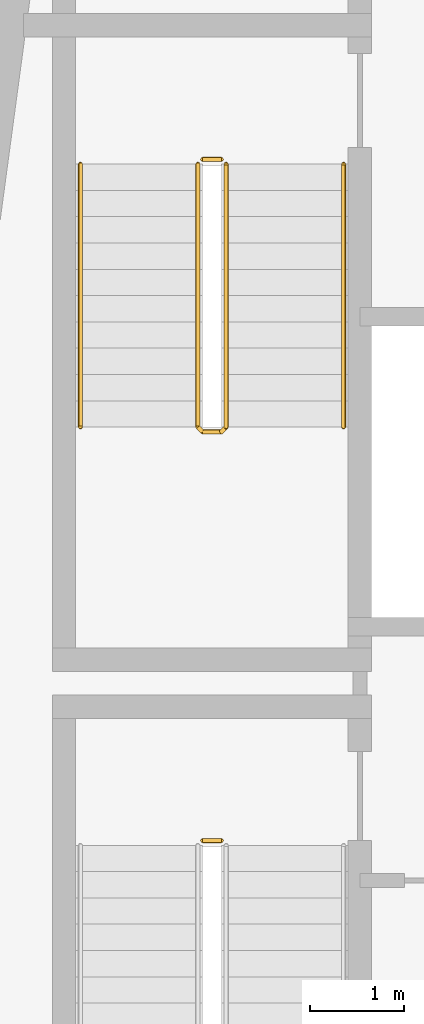
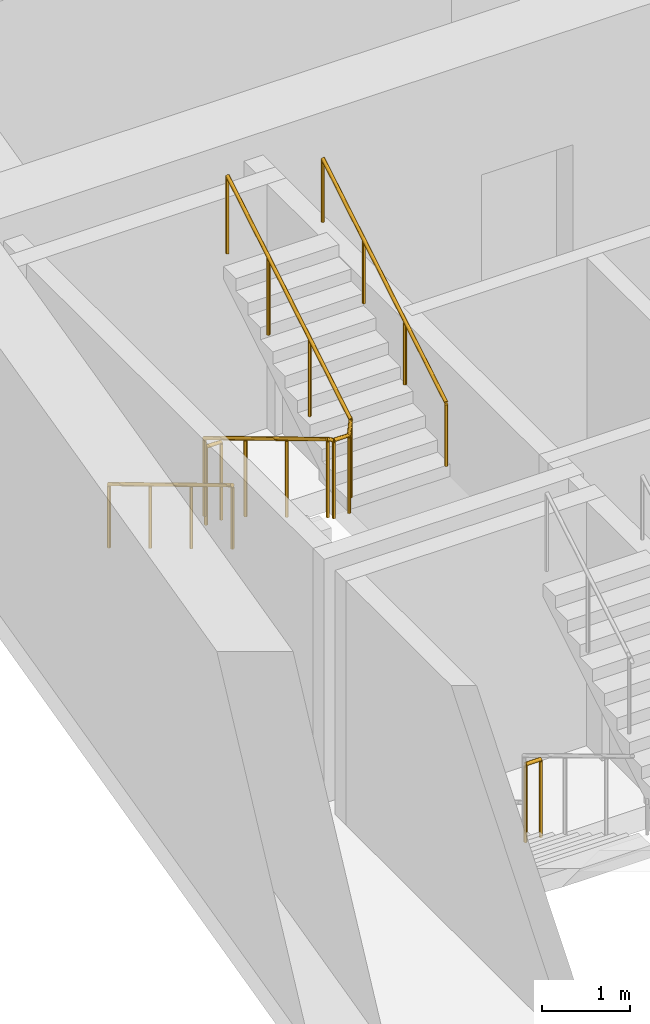
# One storey, part 10 of 13: 5 railings.
"""IFC4 building model written with IfcOpenShell, lengths in metres."""

from ifc_helpers import new_model, si_unit, direction, frame, origin, origin_2d, place, context, subcontext, project, spatial, circle, extrude, material, type_object, element, save


model = new_model("IFC4")

# Units and contexts
model_context = context("Model", 3, precision=1e-05, world=origin(), true_north=direction((0.0, 1.0)))
body_context = subcontext(model_context, "Body", "Model", "MODEL_VIEW")
ifc_project = project(units=[si_unit("LENGTHUNIT", "METRE"), si_unit("AREAUNIT", "SQUARE_METRE"), si_unit("VOLUMEUNIT", "CUBIC_METRE"), si_unit("PLANEANGLEUNIT", "RADIAN"), si_unit("MASSUNIT", "GRAM", prefix="KILO")], contexts=[model_context])

# Site, building, storey
site_placement = place(None, origin())
site = spatial("IfcSite", under=ifc_project, at=site_placement, CompositionType="ELEMENT")
building_placement = place(site_placement, origin())
building = spatial("IfcBuilding", under=site, at=building_placement, Name="Candeia Pilgrim Tower and Theatre", CompositionType="ELEMENT")
storey_placement = place(building_placement, frame((0.0, 0.0, 220.699951171875)))
storey = spatial("IfcBuildingStorey", under=building, at=storey_placement, Name="L53", CompositionType="ELEMENT", Elevation=220.699951171875)

# Railings
ifc_material_1 = material(Name="Stainless steel balustrade", Category="steel")
railing_type_1 = type_object("IfcRailingType", Name="RL-GUARD-1100", PredefinedType="GUARDRAIL", material=ifc_material_1)
railing_1_placement = place(storey_placement, frame((91.152099609375, 122.52490234375, 0.0)))
element("IfcRailing", 1, at=railing_1_placement, inside=storey, type_object=railing_type_1, Name="L53 ST1 stair guard 2", PredefinedType="GUARDRAIL", context=body_context, shape_type="SweptSolid", body=[
    extrude(circle(Radius=0.02392578125, at=origin_2d()), frame((0.0, 0.0, 1.076171875), z_axis=(1.0, 0.0, 0.0), x_axis=(0.0, 1.0, 0.0)), (0.0, 0.0, 1.0), 0.199951171875),
    extrude(circle(Radius=0.02099609375, at=origin_2d()), origin(), (0.0, 0.0, 1.0), 1.052001953125),
    extrude(circle(Radius=0.02099609375, at=origin_2d()), frame((0.199951171875, 0.0, 0.0)), (0.0, 0.0, 1.0), 1.052001953125),
])
railing_2_placement = place(storey_placement, frame((91.10205078125, 129.72509765625, 0.168212890625)))
element("IfcRailing", 2, at=railing_2_placement, inside=storey, type_object=railing_type_1, Name="L53 ST2 stair guard 1", PredefinedType="GUARDRAIL", context=body_context, shape_type="SweptSolid", body=[
    extrude(circle(Radius=0.02392578125, at=origin_2d()), frame((0.0, 0.0, 1.076171875), z_axis=(0.0, -0.857242210791, 0.514913383045), x_axis=(1.0, 0.0, 0.0)), (0.0, 0.0, 1.0), 3.266357421875),
    extrude(circle(Radius=0.02392578125, at=origin_2d()), frame((0.0, -2.800048828125, 2.7578125), z_axis=(0.707106781187, -0.707106781187, 0.0), x_axis=(0.707106781187, 0.707106781187, 0.0)), (0.0, 0.0, 1.0), 0.07080078125),
    extrude(circle(Radius=0.02392578125, at=origin_2d()), frame((0.050048828125, -2.85009765625, 2.7578125), z_axis=(1.0, 0.0, 0.0), x_axis=(0.0, 1.0, 0.0)), (0.0, 0.0, 1.0), 0.199951171875),
    extrude(circle(Radius=0.02392578125, at=origin_2d()), frame((0.25, -2.85009765625, 2.7578125), z_axis=(0.274243871929, 0.274243871929, 0.92172696468), x_axis=(-0.707106781187, 0.707106781187, 0.0)), (0.0, 0.0, 1.0), 0.1826171875),
    extrude(circle(Radius=0.02392578125, at=origin_2d()), frame((0.300048828125, -2.800048828125, 2.92626953125), z_axis=(0.0, 0.857275202839, 0.514858452973), x_axis=(-1.0, 0.0, 0.0)), (0.0, 0.0, 1.0), 3.26611328125),
    extrude(circle(Radius=0.02099609375, at=origin_2d()), origin(), (0.0, 0.0, 1.0), 1.052001953125),
    extrude(circle(Radius=0.02099609375, at=origin_2d()), frame((0.0, -0.933349609375, 0.560546875)), (0.0, 0.0, 1.0), 1.052001953125),
    extrude(circle(Radius=0.02099609375, at=origin_2d()), frame((0.0, -1.86669921875, 1.121337890625)), (0.0, 0.0, 1.0), 1.052001953125),
    extrude(circle(Radius=0.02099609375, at=origin_2d()), frame((0.0, -2.800048828125, 1.681884765625)), (0.0, 0.0, 1.0), 1.052001953125),
    extrude(circle(Radius=0.02099609375, at=origin_2d()), frame((0.050048828125, -2.85009765625, 1.681884765625)), (0.0, 0.0, 1.0), 1.052001953125),
    extrude(circle(Radius=0.02099609375, at=origin_2d()), frame((0.25, -2.85009765625, 1.681884765625)), (0.0, 0.0, 1.0), 1.052001953125),
    extrude(circle(Radius=0.02099609375, at=origin_2d()), frame((0.300048828125, -2.800048828125, 1.85009765625)), (0.0, 0.0, 1.0), 1.052001953125),
    extrude(circle(Radius=0.02099609375, at=origin_2d()), frame((0.300048828125, -1.86669921875, 2.41064453125)), (0.0, 0.0, 1.0), 1.052001953125),
    extrude(circle(Radius=0.02099609375, at=origin_2d()), frame((0.300048828125, -0.933349609375, 2.97119140625)), (0.0, 0.0, 1.0), 1.052001953125),
    extrude(circle(Radius=0.02099609375, at=origin_2d()), frame((0.300048828125, 0.0, 3.53173828125)), (0.0, 0.0, 1.0), 1.052001953125),
])
railing_3_placement = place(storey_placement, frame((91.152099609375, 129.77490234375, 0.0)))
element("IfcRailing", 3, at=railing_3_placement, inside=storey, type_object=railing_type_1, Name="L53 ST2 stair guard 2", PredefinedType="GUARDRAIL", context=body_context, shape_type="SweptSolid", body=[
    extrude(circle(Radius=0.02392578125, at=origin_2d()), frame((0.0, 0.0, 1.076171875), z_axis=(1.0, 0.0, 0.0), x_axis=(0.0, 1.0, 0.0)), (0.0, 0.0, 1.0), 0.199951171875),
    extrude(circle(Radius=0.02099609375, at=origin_2d()), origin(), (0.0, 0.0, 1.0), 1.052001953125),
    extrude(circle(Radius=0.02099609375, at=origin_2d()), frame((0.199951171875, 0.0, 0.0)), (0.0, 0.0, 1.0), 1.052001953125),
])
ifc_material_2 = material(Name="Stainless steel handrail", Category="steel")
railing_type_2 = type_object("IfcRailingType", Name="RL-HANDRAIL-900", PredefinedType="HANDRAIL", material=ifc_material_2)
railing_4_placement = place(storey_placement, frame((89.85205078125, 129.72509765625, 0.168212890625)))
element("IfcRailing", 4, at=railing_4_placement, inside=storey, type_object=railing_type_2, Name="L53 ST2 stair handrail 1", PredefinedType="HANDRAIL", context=body_context, shape_type="SweptSolid", body=[
    extrude(circle(Radius=0.02392578125, at=origin_2d()), frame((0.0, 0.0, 0.8759765625), z_axis=(0.0, -0.857242210791, 0.514913383045), x_axis=(1.0, 0.0, 0.0)), (0.0, 0.0, 1.0), 3.266357421875),
    extrude(circle(Radius=0.02099609375, at=origin_2d()), origin(), (0.0, 0.0, 1.0), 0.851806640625),
    extrude(circle(Radius=0.02099609375, at=origin_2d()), frame((0.0, -0.933349609375, 0.560546875)), (0.0, 0.0, 1.0), 0.851806640625),
    extrude(circle(Radius=0.02099609375, at=origin_2d()), frame((0.0, -1.86669921875, 1.121337890625)), (0.0, 0.0, 1.0), 0.851806640625),
    extrude(circle(Radius=0.02099609375, at=origin_2d()), frame((0.0, -2.800048828125, 1.681884765625)), (0.0, 0.0, 1.0), 0.851806640625),
])
railing_5_placement = place(storey_placement, frame((92.652099609375, 126.925048828125, 2.018310546875)))
element("IfcRailing", 5, at=railing_5_placement, inside=storey, type_object=railing_type_2, Name="L53 ST2 stair handrail 2", PredefinedType="HANDRAIL", context=body_context, shape_type="SweptSolid", body=[
    extrude(circle(Radius=0.02392578125, at=origin_2d()), frame((0.0, 0.0, 0.8759765625), z_axis=(0.0, 0.857275202839, 0.514858452973), x_axis=(-1.0, 0.0, 0.0)), (0.0, 0.0, 1.0), 3.26611328125),
    extrude(circle(Radius=0.02099609375, at=origin_2d()), origin(), (0.0, 0.0, 1.0), 0.851806640625),
    extrude(circle(Radius=0.02099609375, at=origin_2d()), frame((0.0, 0.933349609375, 0.560546875)), (0.0, 0.0, 1.0), 0.851806640625),
    extrude(circle(Radius=0.02099609375, at=origin_2d()), frame((0.0, 1.86669921875, 1.12109375)), (0.0, 0.0, 1.0), 0.851806640625),
    extrude(circle(Radius=0.02099609375, at=origin_2d()), frame((0.0, 2.800048828125, 1.681640625)), (0.0, 0.0, 1.0), 0.851806640625),
])

save(model, "model.ifc")
